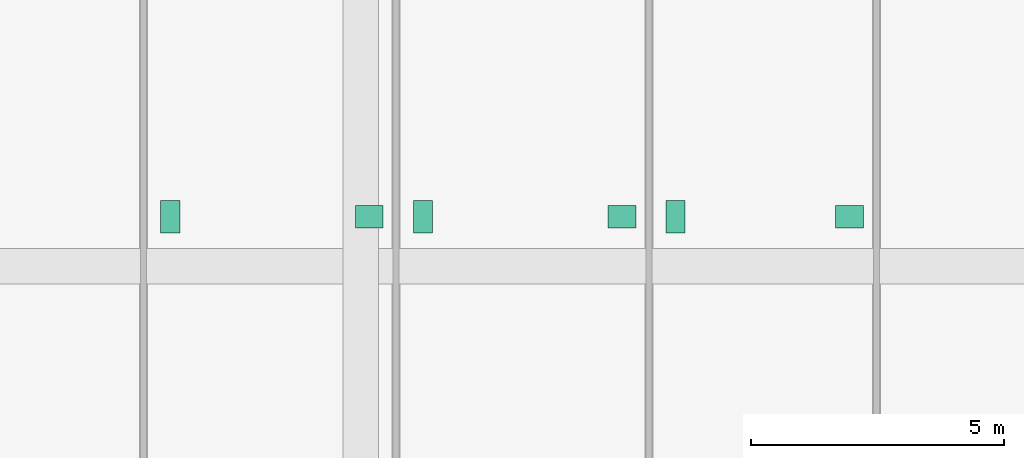
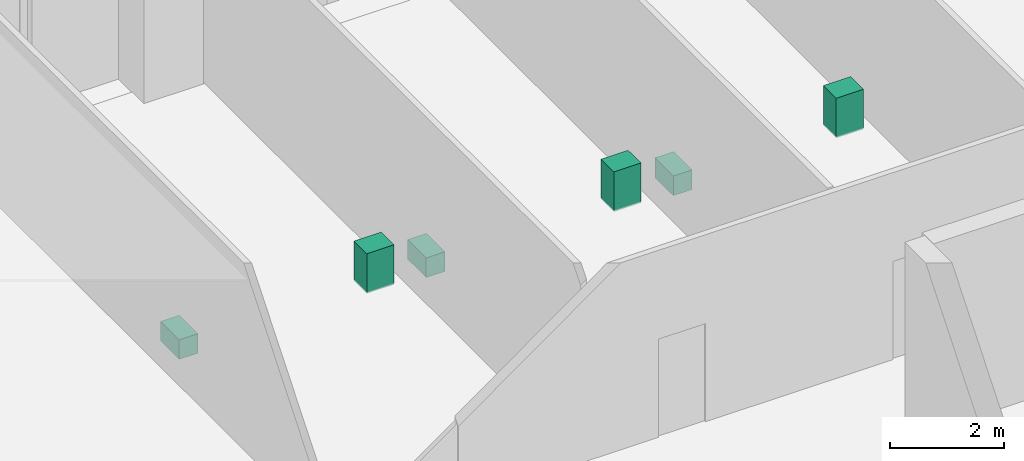
# One storey, part 15 of 15: 6 sanitary terminals.
"""IFC4 building model written with IfcOpenShell, lengths in metres."""

import ifcopenshell
import ifcopenshell.guid

model = None  # the IFC model being written
_history = None  # IfcOwnerHistory: only IFC2X3 demands one
_inside = {}  # id of a spatial element -> (the spatial element, [elements in it])
_under = {}  # id of a project, library or spatial element -> (it, [spatial elements below it])
_declared = {}  # id of a project -> (the project, [libraries it declares])
_typed = {}  # id of a type object -> (the type object, [elements of that type])
_made_of = {}  # id of a material, layer set ... -> (it, [elements and type objects made of it])


def new_model(schema):
    """Start an empty IFC model of exactly this schema.

    Asked for "IFC4X3", IfcOpenShell would pick the latest addendum, in which some entities
    have other attributes; the version numbers below select the first issue.
    IFC2X3 requires an IfcOwnerHistory on every rooted entity: one is made here for all.
    """
    global model, _history
    if schema == "IFC4X3":
        model = ifcopenshell.file(schema_version=(4, 3, 0, 0))
    else:
        model = ifcopenshell.file(schema=schema)
    _inside.clear()
    _under.clear()
    _declared.clear()
    _typed.clear()
    _made_of.clear()
    _history = None
    if model.schema == "IFC2X3":
        org = make("IfcOrganization", Name="unknown")
        user = make(
            "IfcPersonAndOrganization",
            ThePerson=make("IfcPerson", FamilyName="unknown"),
            TheOrganization=org,
        )
        app = make(
            "IfcApplication",
            ApplicationDeveloper=org,
            Version="unknown",
            ApplicationFullName="unknown",
            ApplicationIdentifier="unknown",
        )
        _history = make(
            "IfcOwnerHistory",
            OwningUser=user,
            OwningApplication=app,
            ChangeAction="ADDED",
            CreationDate=0,
        )
    return model


def make(cls, **values):
    """One entity of the class cls with the attributes given. An attribute that is None is left unset."""
    return model.create_entity(
        cls, **{name: value for name, value in values.items() if value is not None}
    )


def rooted(cls, **values):
    """An entity with a GlobalId (a new one), such as an element, a storey or a relation."""
    return make(cls, GlobalId=ifcopenshell.guid.new(), OwnerHistory=_history, **values)


def si_unit(unit_type, name, prefix=None):
    """IfcSIUnit, for example si_unit("LENGTHUNIT", "METRE", prefix="MILLI")."""
    return make("IfcSIUnit", UnitType=unit_type, Prefix=prefix, Name=name)


def assignment(units):
    """IfcUnitAssignment: the units of a project."""
    return None if units is None else make("IfcUnitAssignment", Units=units)


def point(xyz):
    """IfcCartesianPoint."""
    return None if xyz is None else make("IfcCartesianPoint", Coordinates=xyz)


def direction(xyz):
    """IfcDirection."""
    return None if xyz is None else make("IfcDirection", DirectionRatios=xyz)


def frame(location, z_axis=None, x_axis=None):
    """IfcAxis2Placement3D, a coordinate frame: its origin and axes. An axis left out is left unset."""
    return make(
        "IfcAxis2Placement3D",
        Location=point(location),
        Axis=direction(z_axis),
        RefDirection=direction(x_axis),
    )


def frame_2d(location, x_axis=None):
    """IfcAxis2Placement2D, a coordinate frame in the plane: its origin and x axis."""
    return make(
        "IfcAxis2Placement2D", Location=point(location), RefDirection=direction(x_axis)
    )


def origin():
    """The frame at (0, 0, 0) with its axes left unset."""
    return frame((0.0, 0.0, 0.0))


def origin_2d():
    """The frame at (0, 0) in the plane with its x axis left unset."""
    return frame_2d((0.0, 0.0))


def place(relative_to, where):
    """IfcLocalPlacement: puts the frame where relative to a parent placement (None: the world)."""
    return make(
        "IfcLocalPlacement", PlacementRelTo=relative_to, RelativePlacement=where
    )


def context(
    kind, dimensions, precision=None, world=None, true_north=None, identifier=None
):
    """IfcGeometricRepresentationContext, for example the 3D "Model" context."""
    return make(
        "IfcGeometricRepresentationContext",
        ContextIdentifier=identifier,
        ContextType=kind,
        CoordinateSpaceDimension=dimensions,
        Precision=precision,
        WorldCoordinateSystem=world,
        TrueNorth=true_north,
    )


def subcontext(parent, identifier, kind, view, scale=None):
    """IfcGeometricRepresentationSubContext, for example "Body" below "Model"."""
    return make(
        "IfcGeometricRepresentationSubContext",
        ContextIdentifier=identifier,
        ContextType=kind,
        ParentContext=parent,
        TargetScale=scale,
        TargetView=view,
    )


def project(units=None, contexts=None):
    """IfcProject with its units and contexts."""
    return rooted(
        "IfcProject",
        Name="project",
        RepresentationContexts=contexts,
        UnitsInContext=assignment(units),
    )


def spatial(cls, under=None, at=None, **own):
    """A site, building, storey or space (cls), placed at a placement, below another one or the project."""
    s = rooted(cls, ObjectPlacement=at, **own)
    if under is not None:
        _under.setdefault(under.id(), (under, []))[1].append(s)
    return s


def profile(cls, at=None, kind="AREA", **sizes):
    """A parametric profile (cls). Its sizes go by their IFC names, for example OverallWidth=200.0."""
    return make(cls, ProfileType=kind, Position=at, **sizes)


def rectangle(**sizes):
    """IfcRectangleProfileDef."""
    return profile("IfcRectangleProfileDef", **sizes)


def extrude(swept, where, along, depth):
    """IfcExtrudedAreaSolid: the profile swept, set in the frame where, extruded along a direction by depth."""
    return make(
        "IfcExtrudedAreaSolid",
        SweptArea=swept,
        Position=where,
        ExtrudedDirection=direction(along),
        Depth=depth,
    )


def shape(context_of_items, identifier, shape_type, items):
    """IfcShapeRepresentation: the items that make up one representation, for example the "Body"."""
    return make(
        "IfcShapeRepresentation",
        ContextOfItems=context_of_items,
        RepresentationIdentifier=identifier,
        RepresentationType=shape_type,
        Items=items,
    )


def material(Name=None, Category=None):
    """IfcMaterial."""
    return make("IfcMaterial", Name=Name, Category=Category)


def made_of(thing, what):
    """Note that an element or type object is made of a material, layer set ...; save() writes the relation."""
    if what is not None:
        _made_of.setdefault(what.id(), (what, []))[1].append(thing)
    return thing


def type_object(cls, material=None, **own):
    """A type object (cls), such as IfcWallType, which elements share."""
    return made_of(rooted(cls, **own), material)


def element(
    cls,
    number,
    at=None,
    inside=None,
    cuts=None,
    type_object=None,
    material=None,
    context=None,
    identifier="Body",
    shape_type=None,
    held_by="IfcProductDefinitionShape",
    body=None,
    shapes=None,
    **own,
):
    """One element of the class cls, such as IfcWall. Its Tag is "e" and its number.

    at: its placement. inside: the storey or other place that contains it. cuts: it is an
    opening in that element (IfcRelVoidsElement). A single representation is given by context,
    identifier, shape_type and body (its items); several are given by shapes. held_by: the class
    of the entity that holds the representations. save() writes the other relations.
    """
    e = rooted(cls, Tag="e%d" % number, ObjectPlacement=at, **own)
    if body is not None:
        shapes = [shape(context, identifier, shape_type, body)]
    if shapes is not None:
        e.Representation = make(held_by, Representations=shapes)
    if inside is not None:
        _inside.setdefault(inside.id(), (inside, []))[1].append(e)
    if cuts is not None:
        rooted(
            "IfcRelVoidsElement", RelatingBuildingElement=cuts, RelatedOpeningElement=e
        )
    if type_object is not None:
        _typed.setdefault(type_object.id(), (type_object, []))[1].append(e)
    return made_of(e, material)


def aggregate(whole, parts):
    """IfcRelAggregates: a whole, such as a stair, and the parts it consists of."""
    return rooted("IfcRelAggregates", RelatingObject=whole, RelatedObjects=parts)


def save(model, path):
    """Write the relations noted so far, then the file.

    IfcRelAggregates (storeys below a building ...), IfcRelContainedInSpatialStructure (elements
    in a storey), IfcRelDefinesByType, IfcRelAssociatesMaterial and IfcRelDeclares: one each for
    every whole, place, type object, material and project.
    """
    for whole, parts in _under.values():
        aggregate(whole, parts)
    for where, things in _inside.values():
        rooted(
            "IfcRelContainedInSpatialStructure",
            RelatedElements=things,
            RelatingStructure=where,
        )
    for kind, things in _typed.values():
        rooted("IfcRelDefinesByType", RelatedObjects=things, RelatingType=kind)
    for what, things in _made_of.values():
        rooted("IfcRelAssociatesMaterial", RelatedObjects=things, RelatingMaterial=what)
    for by, libraries in _declared.values():
        rooted("IfcRelDeclares", RelatingContext=by, RelatedDefinitions=libraries)
    model.write(path)


model = new_model("IFC4")

# Units and contexts
model_context = context("Model", 3, precision=1e-05, world=origin(), true_north=direction((0.0, 1.0)))
body_context = subcontext(model_context, "Body", "Model", "MODEL_VIEW")
ifc_project = project(units=[si_unit("LENGTHUNIT", "METRE"), si_unit("AREAUNIT", "SQUARE_METRE"), si_unit("VOLUMEUNIT", "CUBIC_METRE"), si_unit("PLANEANGLEUNIT", "RADIAN"), si_unit("MASSUNIT", "GRAM", prefix="KILO")], contexts=[model_context])

# Site, building, storey
site_placement = place(None, origin())
site = spatial("IfcSite", under=ifc_project, at=site_placement, CompositionType="ELEMENT")
building_placement = place(site_placement, origin())
building = spatial("IfcBuilding", under=site, at=building_placement, Name="Kranthara Brick Stack", CompositionType="ELEMENT")
storey_placement = place(building_placement, frame((0.0, 0.0, 14.39990234375)))
storey = spatial("IfcBuildingStorey", under=building, at=storey_placement, Name="L03", CompositionType="ELEMENT", Elevation=14.39990234375)

# Sanitary terminals
ifc_material_1 = material(Name="Vitreous china sanitary porcelain", Category="other")
sanitary_terminal_type_1 = type_object("IfcSanitaryTerminalType", Name="SAN-BASIN", PredefinedType="WASHHANDBASIN", material=ifc_material_1)
for number, where, z_axis, x_axis, name in (
    (1, (20.969970703125, 44.875, 0.0), (0.0, 0.0, 1.0), (1.0, 0.0, 0.0), "L03 Washbasin 10"),
    (2, (25.969970703125, 44.875, 0.0), (0.0, 0.0, 1.0), (1.0, 0.0, 0.0), "L03 Washbasin 11"),
    (3, (30.469970703125, 44.875, 0.0), (0.0, 0.0, 1.0), (1.0, 0.0, 0.0), "L03 Washbasin 12"),
):
    element("IfcSanitaryTerminal", number, at=place(storey_placement, frame(where, z_axis=z_axis, x_axis=x_axis)), inside=storey, type_object=sanitary_terminal_type_1, Name=name, PredefinedType="WASHHANDBASIN", context=body_context, shape_type="SweptSolid", body=[
        extrude(rectangle(XDim=0.550048828125, YDim=0.449951171875, at=origin_2d()), origin(), (0.0, 0.0, 1.0), 0.85009765625),
    ])
ifc_material_2 = material(Name="Vitreous china sanitary porcelain", Category="other")
sanitary_terminal_type_2 = type_object("IfcSanitaryTerminalType", Name="SAN-WC-PAN", PredefinedType="TOILETPAN", material=ifc_material_2)
for number, where, z_axis, x_axis, name in (
    (4, (17.030029296875, 44.875, 0.000244140625), (0.0, 0.0, 1.0), (1.0, 0.0, 0.0), "L03 WC Pan 10"),
    (5, (22.030029296875, 44.875, 0.000244140625), (0.0, 0.0, 1.0), (1.0, 0.0, 0.0), "L03 WC Pan 11"),
    (6, (27.030029296875, 44.875, 0.000244140625), (0.0, 0.0, 1.0), (1.0, 0.0, 0.0), "L03 WC Pan 12"),
):
    element("IfcSanitaryTerminal", number, at=place(storey_placement, frame(where, z_axis=z_axis, x_axis=x_axis)), inside=storey, type_object=sanitary_terminal_type_2, Name=name, PredefinedType="TOILETPAN", context=body_context, shape_type="SweptSolid", body=[
        extrude(rectangle(XDim=0.3798828125, YDim=0.64990234375, at=origin_2d()), origin(), (0.0, 0.0, 1.0), 0.419921875),
    ])

save(model, "model.ifc")
